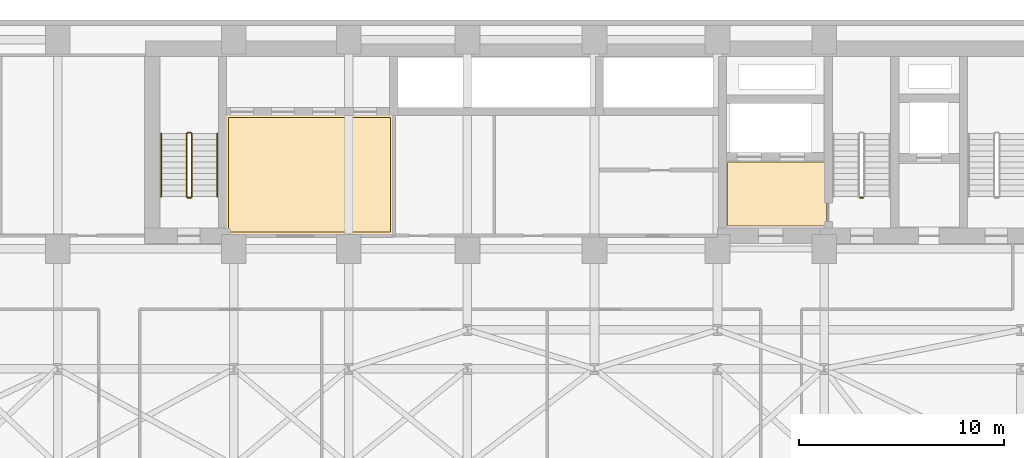
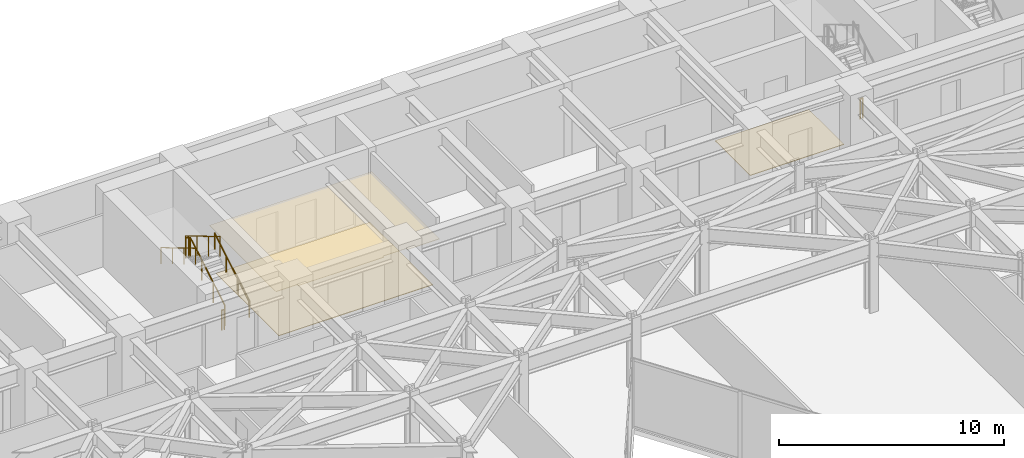
# One storey, part 24 of 25: 7 railings, 3 coverings.
"""IFC4 building model written with IfcOpenShell, lengths in metres."""

from ifc_helpers import new_model, si_unit, direction, frame, origin, origin_2d, place, context, subcontext, project, spatial, polyline, circle, outline, extrude, material, layer, layer_set, type_object, element, save


model = new_model("IFC4")

# Units and contexts
model_context = context("Model", 3, precision=1e-05, world=origin(), true_north=direction((0.0, 1.0)))
body_context = subcontext(model_context, "Body", "Model", "MODEL_VIEW")
ifc_project = project(units=[si_unit("LENGTHUNIT", "METRE"), si_unit("AREAUNIT", "SQUARE_METRE"), si_unit("VOLUMEUNIT", "CUBIC_METRE"), si_unit("PLANEANGLEUNIT", "RADIAN"), si_unit("MASSUNIT", "GRAM", prefix="KILO")], contexts=[model_context])

# Site, building, storey
site_placement = place(None, origin())
site = spatial("IfcSite", under=ifc_project, at=site_placement, CompositionType="ELEMENT")
building_placement = place(site_placement, origin())
building = spatial("IfcBuilding", under=site, at=building_placement, Name="Kravanh Interchange Tower", CompositionType="ELEMENT")
storey_placement = place(building_placement, frame((0.0, 0.0, 33.5)))
storey = spatial("IfcBuildingStorey", under=building, at=storey_placement, Name="L07", CompositionType="ELEMENT", Elevation=33.5)

# Coverings
ifc_material_1 = material(Name="Cementitious Terrazzo Tile")
ifc_layer_1 = layer(ifc_material_1, 0.030029296875)
ifc_layer_set_1 = layer_set([ifc_layer_1], Name="Honed Terrazzo Lobby Flooring 30mm")
covering_type_1 = type_object("IfcCoveringType", Name="Honed Terrazzo Lobby Flooring 30mm", PredefinedType="FLOORING", material=ifc_layer_set_1)
covering_1_placement = place(storey_placement, origin())
element("IfcCovering", 1, at=covering_1_placement, inside=storey, type_object=covering_type_1, Name="L07 Firefighting Lobby Floor Finish", PredefinedType="FLOORING", context=body_context, shape_type="SweptSolid", body=[
    extrude(outline(polyline([(56.1201171875, 38.4599609375), (51.300048828125, 38.4599609375), (51.300048828125, 41.580078125), (56.1201171875, 41.580078125), (56.1201171875, 38.4599609375)])), origin(), (0.0, 0.0, 1.0), 0.030029296875),
])
covering_2_placement = place(storey_placement, origin())
element("IfcCovering", 2, at=covering_2_placement, inside=storey, type_object=covering_type_1, Name="L07 Low-Rise Lift Lobby Floor Finish", PredefinedType="FLOORING", context=body_context, shape_type="SweptSolid", body=[
    extrude(outline(polyline([(26.929931640625, 43.77001953125), (34.840087890625, 43.77001953125), (34.840087890625, 38.179931640625), (26.929931640625, 38.179931640625), (26.929931640625, 43.77001953125)])), origin(), (0.0, 0.0, 1.0), 0.030029296875),
])
ifc_material_2 = material(Name="Acoustic Mineral Fibre Tile on Aluminium Grid", Category="aluminium")
ifc_layer_2 = layer(ifc_material_2, 0.02490234375)
ifc_layer_set_2 = layer_set([ifc_layer_2], Name="Perforated Acoustic Mineral Ceiling 25mm")
covering_type_2 = type_object("IfcCoveringType", Name="Perforated Acoustic Mineral Ceiling 25mm", PredefinedType="CEILING", material=ifc_layer_set_2)
covering_3_placement = place(storey_placement, frame((0.0, 0.0, 2.550048828125)))
element("IfcCovering", 3, at=covering_3_placement, inside=storey, type_object=covering_type_2, Name="L07 Low-Rise Lift Lobby Suspended Ceiling", PredefinedType="CEILING", context=body_context, shape_type="SweptSolid", body=[
    extrude(outline(polyline([(35.06005859375, 37.9599609375), (33.39990234375, 37.9599609375), (33.39990234375, 38.050048828125), (32.199951171875, 38.050048828125), (32.199951171875, 37.9599609375), (27.800048828125, 37.9599609375), (27.800048828125, 38.050048828125), (26.7099609375, 38.050048828125), (26.7099609375, 43.989990234375), (35.06005859375, 43.989990234375), (35.06005859375, 37.9599609375)])), origin(), (0.0, 0.0, 1.0), 0.02490234375),
])

# Railings
ifc_material_3 = material(Name="Structural Steel S355", Category="steel")
ifc_layer_3 = layer(ifc_material_3, 0.050048828125)
ifc_layer_set_3 = layer_set([ifc_layer_3], Name="Stair Well Guardrail Structural Steel S355 1100mm")
railing_type_1 = type_object("IfcRailingType", Name="Stair Well Guardrail Structural Steel S355 1100mm", PredefinedType="GUARDRAIL", material=ifc_layer_set_3)
railing_1_placement = place(storey_placement, frame((57.89990234375, 39.85009765625, 0.0)))
element("IfcRailing", 4, at=railing_1_placement, inside=storey, type_object=railing_type_1, Name="L07 ST2 stair guard 4", PredefinedType="GUARDRAIL", context=body_context, shape_type="SweptSolid", body=[
    extrude(circle(Radius=0.02392578125, at=origin_2d()), frame((0.0, 0.0, 1.076171875), z_axis=(-1.0, 0.0, 0.0), x_axis=(0.0, -1.0, 0.0)), (0.0, 0.0, 1.0), 0.14990234375),
    extrude(circle(Radius=0.02099609375, at=origin_2d()), origin(), (0.0, 0.0, 1.0), 1.052001953125),
    extrude(circle(Radius=0.02099609375, at=origin_2d()), frame((-0.14990234375, 0.0, 0.0)), (0.0, 0.0, 1.0), 1.052001953125),
])
railing_2_placement = place(storey_placement, frame((25.14990234375, 39.89990234375, 0.166748046875)))
element("IfcRailing", 5, at=railing_2_placement, inside=storey, type_object=railing_type_1, Name="L07 ST3 stair guard 1", PredefinedType="GUARDRAIL", context=body_context, shape_type="SweptSolid", body=[
    extrude(circle(Radius=0.02392578125, at=origin_2d()), frame((0.0, 0.0, 1.076171875), z_axis=(0.0, 0.859308565015, 0.511457515432), x_axis=(-1.0, 0.0, 0.0)), (0.0, 0.0, 1.0), 3.58447265625),
    extrude(circle(Radius=0.02099609375, at=origin_2d()), origin(), (0.0, 0.0, 1.0), 1.052001953125),
    extrude(circle(Radius=0.02099609375, at=origin_2d()), frame((0.0, 1.026611328125, 0.611083984375)), (0.0, 0.0, 1.0), 1.052001953125),
    extrude(circle(Radius=0.02099609375, at=origin_2d()), frame((0.0, 2.053466796875, 1.22216796875)), (0.0, 0.0, 1.0), 1.052001953125),
    extrude(circle(Radius=0.02099609375, at=origin_2d()), frame((0.0, 3.080078125, 1.833251953125)), (0.0, 0.0, 1.0), 1.052001953125),
])
railing_3_placement = place(storey_placement, frame((25.10009765625, 43.030029296875, 2.0)))
element("IfcRailing", 6, at=railing_3_placement, inside=storey, type_object=railing_type_1, Name="L07 ST3 stair guard 2", PredefinedType="GUARDRAIL", context=body_context, shape_type="SweptSolid", body=[
    extrude(circle(Radius=0.02392578125, at=origin_2d()), frame((0.0, 0.0, 1.076171875), z_axis=(-1.0, 0.0, 0.0), x_axis=(0.0, -1.0, 0.0)), (0.0, 0.0, 1.0), 0.150146484375),
    extrude(circle(Radius=0.02099609375, at=origin_2d()), origin(), (0.0, 0.0, 1.0), 1.052001953125),
    extrude(circle(Radius=0.02099609375, at=origin_2d()), frame((-0.150146484375, 0.0, 0.0)), (0.0, 0.0, 1.0), 1.052001953125),
])
railing_4_placement = place(storey_placement, frame((24.89990234375, 42.97998046875, 2.166748046875)))
element("IfcRailing", 7, at=railing_4_placement, inside=storey, type_object=railing_type_1, Name="L07 ST3 stair guard 3", PredefinedType="GUARDRAIL", context=body_context, shape_type="SweptSolid", body=[
    extrude(circle(Radius=0.02392578125, at=origin_2d()), frame((0.0, 0.0, 1.076171875), z_axis=(0.0, -0.859308565015, 0.511457515432), x_axis=(1.0, 0.0, 0.0)), (0.0, 0.0, 1.0), 3.58447265625),
    extrude(circle(Radius=0.02099609375, at=origin_2d()), origin(), (0.0, 0.0, 1.0), 1.052001953125),
    extrude(circle(Radius=0.02099609375, at=origin_2d()), frame((0.0, -1.026611328125, 0.611083984375)), (0.0, 0.0, 1.0), 1.052001953125),
    extrude(circle(Radius=0.02099609375, at=origin_2d()), frame((0.0, -2.053466796875, 1.22216796875)), (0.0, 0.0, 1.0), 1.052001953125),
    extrude(circle(Radius=0.02099609375, at=origin_2d()), frame((0.0, -3.080078125, 1.833251953125)), (0.0, 0.0, 1.0), 1.052001953125),
])
railing_5_placement = place(storey_placement, frame((25.10009765625, 39.85009765625, 0.0)))
element("IfcRailing", 8, at=railing_5_placement, inside=storey, type_object=railing_type_1, Name="L07 ST3 stair guard 4", PredefinedType="GUARDRAIL", context=body_context, shape_type="SweptSolid", body=[
    extrude(circle(Radius=0.02392578125, at=origin_2d()), frame((0.0, 0.0, 1.076171875), z_axis=(-1.0, 0.0, 0.0), x_axis=(0.0, -1.0, 0.0)), (0.0, 0.0, 1.0), 0.150146484375),
    extrude(circle(Radius=0.02099609375, at=origin_2d()), origin(), (0.0, 0.0, 1.0), 1.052001953125),
    extrude(circle(Radius=0.02099609375, at=origin_2d()), frame((-0.150146484375, 0.0, 0.0)), (0.0, 0.0, 1.0), 1.052001953125),
])
ifc_material_4 = material(Name="Stainless Steel 304", Category="steel")
ifc_layer_4 = layer(ifc_material_4, 0.044921875)
ifc_layer_set_4 = layer_set([ifc_layer_4], Name="Tubular Stair Handrail Stainless 304 900mm")
railing_type_2 = type_object("IfcRailingType", Name="Tubular Stair Handrail Stainless 304 900mm", PredefinedType="HANDRAIL", material=ifc_layer_set_4)
railing_6_placement = place(storey_placement, frame((26.39990234375, 39.89990234375, 0.166748046875)))
element("IfcRailing", 9, at=railing_6_placement, inside=storey, type_object=railing_type_2, Name="L07 ST3 stair handrail 1", PredefinedType="HANDRAIL", context=body_context, shape_type="SweptSolid", body=[
    extrude(circle(Radius=0.02392578125, at=origin_2d()), frame((0.0, 0.0, 0.8759765625), z_axis=(0.0, 0.859308565015, 0.511457515432), x_axis=(-1.0, 0.0, 0.0)), (0.0, 0.0, 1.0), 3.58447265625),
    extrude(circle(Radius=0.02099609375, at=origin_2d()), origin(), (0.0, 0.0, 1.0), 0.851806640625),
    extrude(circle(Radius=0.02099609375, at=origin_2d()), frame((0.0, 1.026611328125, 0.611083984375)), (0.0, 0.0, 1.0), 0.851806640625),
    extrude(circle(Radius=0.02099609375, at=origin_2d()), frame((0.0, 2.053466796875, 1.22216796875)), (0.0, 0.0, 1.0), 0.851806640625),
    extrude(circle(Radius=0.02099609375, at=origin_2d()), frame((0.0, 3.080078125, 1.833251953125)), (0.0, 0.0, 1.0), 0.851806640625),
])
railing_7_placement = place(storey_placement, frame((23.64990234375, 42.97998046875, 2.166748046875)))
element("IfcRailing", 10, at=railing_7_placement, inside=storey, type_object=railing_type_2, Name="L07 ST3 stair handrail 2", PredefinedType="HANDRAIL", context=body_context, shape_type="SweptSolid", body=[
    extrude(circle(Radius=0.02392578125, at=origin_2d()), frame((0.0, 0.0, 0.8759765625), z_axis=(0.0, -0.859308565015, 0.511457515432), x_axis=(1.0, 0.0, 0.0)), (0.0, 0.0, 1.0), 3.58447265625),
    extrude(circle(Radius=0.02099609375, at=origin_2d()), origin(), (0.0, 0.0, 1.0), 0.851806640625),
    extrude(circle(Radius=0.02099609375, at=origin_2d()), frame((0.0, -1.026611328125, 0.611083984375)), (0.0, 0.0, 1.0), 0.851806640625),
    extrude(circle(Radius=0.02099609375, at=origin_2d()), frame((0.0, -2.053466796875, 1.22216796875)), (0.0, 0.0, 1.0), 0.851806640625),
    extrude(circle(Radius=0.02099609375, at=origin_2d()), frame((0.0, -3.080078125, 1.833251953125)), (0.0, 0.0, 1.0), 0.851806640625),
])

save(model, "model.ifc")
